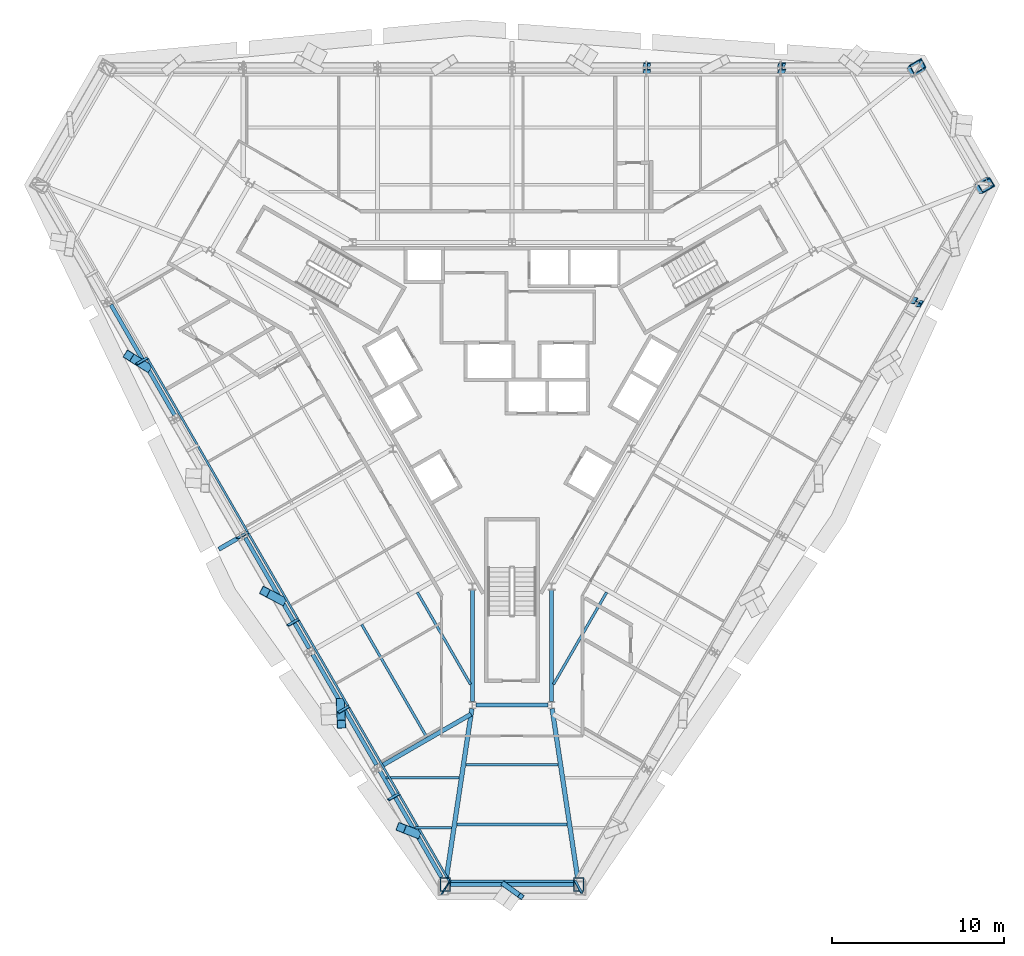
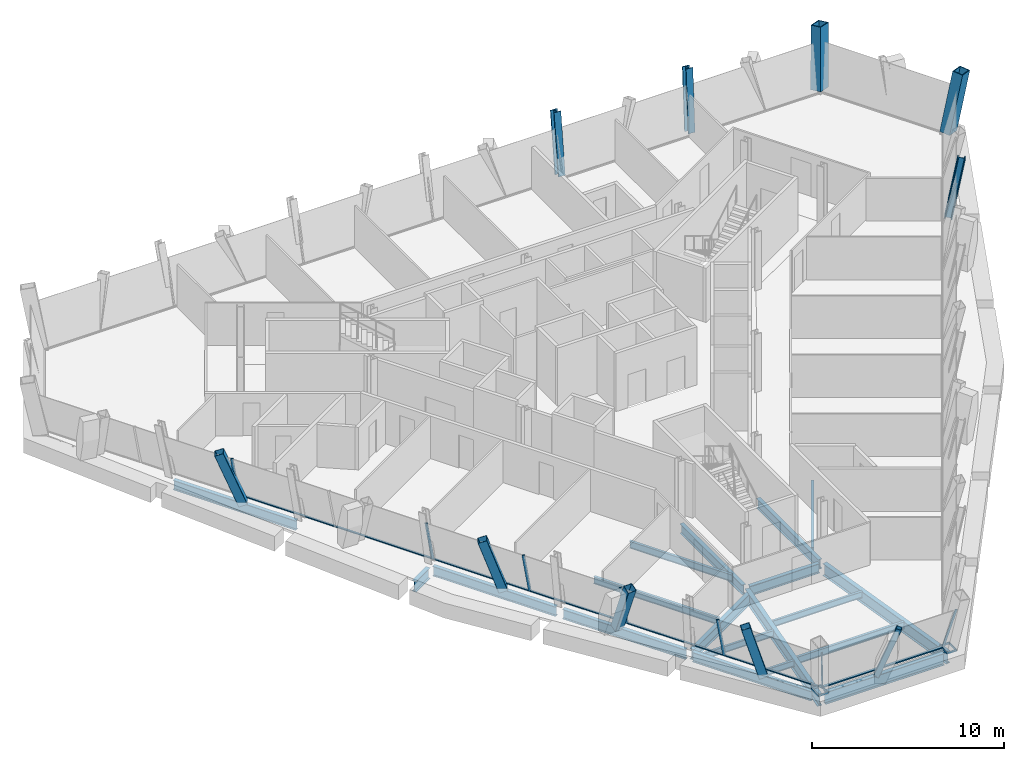
# One storey, part 2 of 12: 21 members, 19 beams, 5 columns, 3 elements without a shape of their own.
"""IFC4 building model written with IfcOpenShell, lengths in metres."""

from ifc_helpers import new_model, si_unit, direction, frame, origin, origin_2d, place, context, subcontext, project, spatial, rectangle, hollow_rectangle, i_section, extrude, material, material_profile, profile_set, type_object, element, aggregate, save


model = new_model("IFC4")

# Units and contexts
model_context = context("Model", 3, precision=1e-05, world=origin(), true_north=direction((0.0, 1.0)))
body_context = subcontext(model_context, "Body", "Model", "MODEL_VIEW")
ifc_project = project(units=[si_unit("LENGTHUNIT", "METRE"), si_unit("AREAUNIT", "SQUARE_METRE"), si_unit("VOLUMEUNIT", "CUBIC_METRE"), si_unit("PLANEANGLEUNIT", "RADIAN"), si_unit("MASSUNIT", "GRAM", prefix="KILO")], contexts=[model_context])

# Site, building, storey
site_placement = place(None, origin())
site = spatial("IfcSite", under=ifc_project, at=site_placement, CompositionType="ELEMENT")
building_placement = place(site_placement, origin())
building = spatial("IfcBuilding", under=site, at=building_placement, Name="Verrane Prism Tower", CompositionType="ELEMENT")
storey_placement = place(building_placement, frame((0.0, 0.0, 185.800048828125)))
storey = spatial("IfcBuildingStorey", under=building, at=storey_placement, Name="L46", CompositionType="ELEMENT", Elevation=185.800048828125)

# Columns
ifc_material_1 = material(Name="Steel A572 Grade 50", Category="steel")
ifc_material_profile_1 = material_profile(ifc_material_1, hollow_rectangle(XDim=0.60009765625, YDim=0.800048828125, WallThickness=0.050048828125, at=origin_2d()), Name="BOX 800x600x50")
ifc_profile_set_1 = profile_set([ifc_material_profile_1], Name="Steel A572 Grade 50")
column_type_1 = type_object("IfcColumnType", Name="Megacolumn BOX 800x600x50", PredefinedType="COLUMN", material=ifc_profile_set_1)
column_1_placement = place(storey_placement, frame((23.457275390625, 18.022216796875, 0.06494140625), z_axis=(0.10821355543, 0.184831424614, 0.976794333981), x_axis=(0.49724252303, -0.860886955952, 0.107812440663)))
element("IfcColumn", 1, at=column_1_placement, inside=storey, type_object=column_type_1, Name="Megacolumn MC-NE.b L46", PredefinedType="COLUMN", context=body_context, shape_type="SweptSolid", body=[
    extrude(hollow_rectangle(XDim=0.60009765625, YDim=0.800048828125, WallThickness=0.050048828125, at=origin_2d()), origin(), (0.0, 0.0, 1.0), 3.65478515625),
])
column_2_placement = place(storey_placement, frame((27.334228515625, 11.31005859375, 0.06494140625), z_axis=(0.213838328366, 0.0, 0.976869064574), x_axis=(0.497033455356, -0.860883256594, -0.10880148332)))
element("IfcColumn", 2, at=column_2_placement, inside=storey, type_object=column_type_1, Name="Megacolumn MC-NE.a L46", PredefinedType="COLUMN", context=body_context, shape_type="SweptSolid", body=[
    extrude(hollow_rectangle(XDim=0.60009765625, YDim=0.800048828125, WallThickness=0.050048828125, at=origin_2d()), origin(), (0.0, 0.0, 1.0), 3.654541015625),
])
ifc_material_2 = material(Name="Steel A992", Category="steel")
ifc_material_profile_2 = material_profile(ifc_material_2, i_section(OverallWidth=0.406494140625, OverallDepth=0.41650390625, WebThickness=0.030029296875, FlangeThickness=0.048095703125, FilletRadius=0.01513671875, at=origin_2d()), Name="W14x257")
ifc_profile_set_2 = profile_set([ifc_material_profile_2], Name="Steel A992")
column_type_2 = type_object("IfcColumnType", Name="Perimeter column W14x257", PredefinedType="COLUMN", material=ifc_profile_set_2)
column_3_placement = place(storey_placement, frame((15.6328125, 18.017578125, 0.0400390625), z_axis=(0.071585281061, 0.185407860919, 0.980050750035), x_axis=(0.997347551379, -0.000333182044, -0.072785649323)))
element("IfcColumn", 3, at=column_3_placement, inside=storey, type_object=column_type_2, Name="Perimeter column PC-N1 L46", PredefinedType="COLUMN", context=body_context, shape_type="SweptSolid", body=[
    extrude(i_section(OverallWidth=0.406494140625, OverallDepth=0.41650390625, WebThickness=0.030029296875, FlangeThickness=0.048095703125, FilletRadius=0.01513671875, at=origin_2d()), origin(), (0.0, 0.0, 1.0), 3.693603515625),
])
column_4_placement = place(storey_placement, frame((7.8212890625, 18.0166015625, 0.034912109375), z_axis=(0.03447421706, 0.185777725267, 0.981986845713), x_axis=(0.999383372128, 0.000143167918, -0.035112035215)))
element("IfcColumn", 4, at=column_4_placement, inside=storey, type_object=column_type_2, Name="Perimeter column PC-N2 L46", PredefinedType="COLUMN", context=body_context, shape_type="SweptSolid", body=[
    extrude(i_section(OverallWidth=0.406494140625, OverallDepth=0.41650390625, WebThickness=0.030029296875, FlangeThickness=0.048095703125, FilletRadius=0.01513671875, at=origin_2d()), origin(), (0.0, 0.0, 1.0), 3.69677734375),
])
column_5_placement = place(storey_placement, frame((23.418212890625, 4.538818359375, 0.0400390625), z_axis=(0.198532076657, -0.031778345714, 0.979579068418), x_axis=(-0.498721760227, -0.86367768571, 0.073057929632)))
element("IfcColumn", 5, at=column_5_placement, inside=storey, type_object=column_type_2, Name="Perimeter column PC-SE5 L46", PredefinedType="COLUMN", context=body_context, shape_type="SweptSolid", body=[
    extrude(i_section(OverallWidth=0.406494140625, OverallDepth=0.41650390625, WebThickness=0.030029296875, FlangeThickness=0.048095703125, FilletRadius=0.01513671875, at=origin_2d()), origin(), (0.0, 0.0, 1.0), 3.6953125),
])

# Member
ifc_material_3 = material(Name="Steel A500 Grade C", Category="steel")
ifc_material_profile_3 = material_profile(ifc_material_3, hollow_rectangle(XDim=0.3046875, YDim=0.3046875, WallThickness=0.0126953125, InnerFilletRadius=0.00634765625, OuterFilletRadius=0.01904296875, at=origin_2d()), Name="HSS12x12x1/2")
ifc_profile_set_3 = profile_set([ifc_material_profile_3], Name="Steel A500 Grade C")
member_type_1 = type_object("IfcMemberType", Name="Chamfer brace HSS12x12x1/2", PredefinedType="BRACE", material=ifc_profile_set_3)
member_1_placement = place(storey_placement, frame((-0.459716796875, -29.320068359375, -0.24267578125), z_axis=(0.293461279881, -0.210023337349, 0.932614966092), x_axis=(0.581986834751, 0.81319820719, 0.0)))
element("IfcMember", 6, at=member_1_placement, inside=storey, type_object=member_type_1, Name="Chamfer brace S0 L46", PredefinedType="BRACE", context=body_context, shape_type="SweptSolid", body=[
    extrude(hollow_rectangle(XDim=0.3046875, YDim=0.3046875, WallThickness=0.0126953125, InnerFilletRadius=0.00634765625, OuterFilletRadius=0.01904296875, at=origin_2d()), origin(), (0.0, 0.0, 1.0), 3.332763671875),
])

# Beams
ifc_material_4 = material(Name="Steel A992", Category="steel")
ifc_material_profile_4 = material_profile(ifc_material_4, i_section(OverallWidth=0.2666015625, OverallDepth=0.7568359375, WebThickness=0.013916015625, FlangeThickness=0.019287109375, FilletRadius=0.0166015625, at=origin_2d()), Name="W30x108")
ifc_profile_set_4 = profile_set([ifc_material_profile_4], Name="Steel A992")
beam_type_1 = type_object("IfcBeamType", Name="Chamfer spandrel beam W30x108", PredefinedType="SPANDREL", material=ifc_profile_set_4)
beam_1_placement = place(storey_placement, frame((-3.570068359375, -29.320068359375, -0.53857421875), z_axis=(1.0, 0.0, 0.0), x_axis=(0.0, 1.0, 0.0)))
element("IfcBeam", 7, at=beam_1_placement, inside=storey, type_object=beam_type_1, Name="Chamfer spandrel beam L46", PredefinedType="SPANDREL", context=body_context, shape_type="SweptSolid", body=[
    extrude(i_section(OverallWidth=0.2666015625, OverallDepth=0.7568359375, WebThickness=0.013916015625, FlangeThickness=0.019287109375, FilletRadius=0.0166015625, at=origin_2d()), origin(), (0.0, 0.0, 1.0), 7.14013671875),
])
ifc_material_5 = material(Name="Steel A992", Category="steel")
ifc_material_profile_5 = material_profile(ifc_material_5, i_section(OverallWidth=0.23046875, OverallDepth=0.6171875, WebThickness=0.01318359375, FlangeThickness=0.022216796875, FilletRadius=0.012939453125, at=origin_2d()), Name="W24x94")
ifc_profile_set_5 = profile_set([ifc_material_profile_5], Name="Steel A992")
beam_type_2 = type_object("IfcBeamType", Name="Core ring girder W24x94", PredefinedType="BEAM", material=ifc_profile_set_5)
beam_2_placement = place(storey_placement, frame((-2.300048828125, -12.219482421875, -0.55859375), z_axis=(0.0, -1.0, 0.0), x_axis=(1.0, 0.0, 0.0)))
element("IfcBeam", 8, at=beam_2_placement, inside=storey, type_object=beam_type_2, Name="Core ring girder L46", PredefinedType="BEAM", context=body_context, shape_type="SweptSolid", body=[
    extrude(i_section(OverallWidth=0.23046875, OverallDepth=0.6171875, WebThickness=0.01318359375, FlangeThickness=0.022216796875, FilletRadius=0.012939453125, at=origin_2d()), origin(), (0.0, 0.0, 1.0), 6.47216796875),
])
beam_3_placement = place(storey_placement, frame((-2.0966796875, -18.89990234375, -0.55859375), z_axis=(1.0, 0.0, 0.0), x_axis=(0.0, 1.0, 0.0)))
element("IfcBeam", 9, at=beam_3_placement, inside=storey, type_object=beam_type_2, Name="Core ring girder L46", PredefinedType="BEAM", context=body_context, shape_type="SweptSolid", body=[
    extrude(i_section(OverallWidth=0.23046875, OverallDepth=0.6171875, WebThickness=0.01318359375, FlangeThickness=0.022216796875, FilletRadius=0.012939453125, at=origin_2d()), origin(), (0.0, 0.0, 1.0), 4.193359375),
])
beam_4_placement = place(storey_placement, frame((2.300048828125, -18.691650390625, -0.55859375), z_axis=(0.0, 1.0, 0.0), x_axis=(-1.0, 0.0, 0.0)))
element("IfcBeam", 10, at=beam_4_placement, inside=storey, type_object=beam_type_2, Name="Core ring girder L46", PredefinedType="BEAM", context=body_context, shape_type="SweptSolid", body=[
    extrude(i_section(OverallWidth=0.23046875, OverallDepth=0.6171875, WebThickness=0.01318359375, FlangeThickness=0.022216796875, FilletRadius=0.012939453125, at=origin_2d()), origin(), (0.0, 0.0, 1.0), 6.47216796875),
])
ifc_material_6 = material(Name="Steel A992", Category="steel")
ifc_material_profile_6 = material_profile(ifc_material_6, i_section(OverallWidth=0.2666015625, OverallDepth=0.76708984375, WebThickness=0.014892578125, FlangeThickness=0.023681640625, FilletRadius=0.0166015625, at=origin_2d()), Name="W30x124")
ifc_profile_set_6 = profile_set([ifc_material_profile_6], Name="Steel A992")
beam_type_3 = type_object("IfcBeamType", Name="Corner girder W30x124", PredefinedType="BEAM", material=ifc_profile_set_6)
for number, where, z_axis, x_axis, name in (
    (11, (-3.869384765625, -29.315185546875, -0.603515625), (0.149010088195, 0.98883567574, 0.0), (-0.98883567574, 0.149010088195, 0.0), "Corner girder L46"),
    (12, (3.869384765625, -29.315185546875, -0.603515625), (-0.149010088195, 0.98883567574, 0.0), (-0.98883567574, -0.149010088195, 0.0), "Corner girder L46"),
):
    element("IfcBeam", number, at=place(storey_placement, frame(where, z_axis=z_axis, x_axis=x_axis)), inside=storey, type_object=beam_type_3, Name=name, PredefinedType="BEAM", context=body_context, shape_type="SweptSolid", body=[
        extrude(i_section(OverallWidth=0.2666015625, OverallDepth=0.76708984375, WebThickness=0.014892578125, FlangeThickness=0.023681640625, FilletRadius=0.0166015625, at=origin_2d()), origin(), (0.0, 0.0, 1.0), 10.322021484375),
    ])

# Members
ifc_material_7 = material(Name="Steel A500 Grade C", Category="steel")
ifc_material_profile_7 = material_profile(ifc_material_7, hollow_rectangle(XDim=0.508056640625, YDim=0.508056640625, WallThickness=0.01904296875, InnerFilletRadius=0.009521484375, OuterFilletRadius=0.028564453125, at=origin_2d()), Name="HSS20x20x3/4")
ifc_profile_set_7 = profile_set([ifc_material_profile_7], Name="Steel A500 Grade C")
member_type_2 = type_object("IfcMemberType", Name="Facade brace HSS20x20x3/4", PredefinedType="BRACE", material=ifc_profile_set_7)
member_2_placement = place(storey_placement, frame((-21.225341796875, 0.74755859375, -0.216796875), z_axis=(-0.31057532923, 0.195468481059, 0.930233861879), x_axis=(-0.532659198661, -0.846329828189, 0.0)))
element("IfcMember", 13, at=member_2_placement, inside=storey, type_object=member_type_2, Name="Facade brace SW1 L46", PredefinedType="BRACE", context=body_context, shape_type="SweptSolid", body=[
    extrude(hollow_rectangle(XDim=0.508056640625, YDim=0.508056640625, WallThickness=0.01904296875, InnerFilletRadius=0.009521484375, OuterFilletRadius=0.028564453125, at=origin_2d()), origin(), (0.0, 0.0, 1.0), 3.43603515625),
])
member_3_placement = place(storey_placement, frame((-13.402099609375, -12.8154296875, -0.216796875), z_axis=(-0.285812757078, 0.150785384741, 0.946348157731), x_axis=(-0.466612817887, -0.884461688364, 0.0)))
element("IfcMember", 14, at=member_3_placement, inside=storey, type_object=member_type_2, Name="Facade brace SW3 L46", PredefinedType="BRACE", context=body_context, shape_type="SweptSolid", body=[
    extrude(hollow_rectangle(XDim=0.508056640625, YDim=0.508056640625, WallThickness=0.01904296875, InnerFilletRadius=0.009521484375, OuterFilletRadius=0.028564453125, at=origin_2d()), origin(), (0.0, 0.0, 1.0), 3.37744140625),
])
member_4_placement = place(storey_placement, frame((-9.970458984375, -18.757568359375, -0.216796875), z_axis=(0.015495351947, -0.365775601467, 0.930574071979), x_axis=(0.999103894049, 0.042325038652, 0.0)))
element("IfcMember", 15, at=member_4_placement, inside=storey, type_object=member_type_2, Name="Facade brace SW4 L46", PredefinedType="BRACE", context=body_context, shape_type="SweptSolid", body=[
    extrude(hollow_rectangle(XDim=0.508056640625, YDim=0.508056640625, WallThickness=0.01904296875, InnerFilletRadius=0.009521484375, OuterFilletRadius=0.028564453125, at=origin_2d()), origin(), (0.0, 0.0, 1.0), 3.434814453125),
])
member_5_placement = place(storey_placement, frame((-5.574462890625, -26.36865234375, -0.216796875), z_axis=(-0.261841301182, 0.102112243154, 0.959693817211), x_axis=(-0.363327165251, -0.931661618288, 0.0)))
element("IfcMember", 16, at=member_5_placement, inside=storey, type_object=member_type_2, Name="Facade brace SW5 L46", PredefinedType="BRACE", context=body_context, shape_type="SweptSolid", body=[
    extrude(hollow_rectangle(XDim=0.508056640625, YDim=0.508056640625, WallThickness=0.01904296875, InnerFilletRadius=0.009521484375, OuterFilletRadius=0.028564453125, at=origin_2d()), origin(), (0.0, 0.0, 1.0), 3.33056640625),
])

# Beams
ifc_material_8 = material(Name="Steel A992", Category="steel")
ifc_material_profile_8 = material_profile(ifc_material_8, i_section(OverallWidth=0.140380859375, OverallDepth=0.40380859375, WebThickness=0.007080078125, FlangeThickness=0.01123046875, FilletRadius=0.01025390625, at=origin_2d()), Name="W16x31")
ifc_profile_set_8 = profile_set([ifc_material_profile_8], Name="Steel A992")
beam_type_4 = type_object("IfcBeamType", Name="Floor beam W16x31", PredefinedType="BEAM", material=ifc_profile_set_8)
beam_5_placement = place(storey_placement, frame((-5.64111328125, -26.023193359375, -0.362060546875), z_axis=(1.0, 0.0, 0.0), x_axis=(0.0, 1.0, 0.0)))
element("IfcBeam", 17, at=beam_5_placement, inside=storey, type_object=beam_type_4, Name="Floor beam L46", PredefinedType="BEAM", context=body_context, shape_type="SweptSolid", body=[
    extrude(i_section(OverallWidth=0.140380859375, OverallDepth=0.40380859375, WebThickness=0.007080078125, FlangeThickness=0.01123046875, FilletRadius=0.01025390625, at=origin_2d()), origin(), (0.0, 0.0, 1.0), 2.1328125),
])
beam_6_placement = place(storey_placement, frame((-7.314208984375, -23.126708984375, -0.362060546875), z_axis=(1.0, 0.0, 0.0), x_axis=(0.0, 1.0, 0.0)))
element("IfcBeam", 18, at=beam_6_placement, inside=storey, type_object=beam_type_4, Name="Floor beam L46", PredefinedType="BEAM", context=body_context, shape_type="SweptSolid", body=[
    extrude(i_section(OverallWidth=0.140380859375, OverallDepth=0.40380859375, WebThickness=0.007080078125, FlangeThickness=0.01123046875, FilletRadius=0.01025390625, at=origin_2d()), origin(), (0.0, 0.0, 1.0), 4.2421875),
])
beam_7_placement = place(storey_placement, frame((-2.6884765625, -22.373291015625, -0.362060546875), z_axis=(1.0, 0.0, 0.0), x_axis=(0.0, 1.0, 0.0)))
element("IfcBeam", 19, at=beam_7_placement, inside=storey, type_object=beam_type_4, Name="Floor beam L46", PredefinedType="BEAM", context=body_context, shape_type="SweptSolid", body=[
    extrude(i_section(OverallWidth=0.140380859375, OverallDepth=0.40380859375, WebThickness=0.007080078125, FlangeThickness=0.01123046875, FilletRadius=0.01025390625, at=origin_2d()), origin(), (0.0, 0.0, 1.0), 5.376953125),
])
ifc_material_9 = material(Name="Steel A992", Category="steel")
ifc_material_profile_9 = material_profile(ifc_material_9, i_section(OverallWidth=0.15234375, OverallDepth=0.449462890625, WebThickness=0.007568359375, FlangeThickness=0.0107421875, FilletRadius=0.01025390625, at=origin_2d()), Name="W18x35")
ifc_profile_set_9 = profile_set([ifc_material_profile_9], Name="Steel A992")
beam_type_5 = type_object("IfcBeamType", Name="Floor beam W18x35", PredefinedType="BEAM", material=ifc_profile_set_9)
beam_8_placement = place(storey_placement, frame((-2.4150390625, -17.693603515625, -0.384765625), z_axis=(-0.499998733127, 0.866026135213, 0.0), x_axis=(-0.866026135213, -0.499998733127, 0.0)))
element("IfcBeam", 20, at=beam_8_placement, inside=storey, type_object=beam_type_5, Name="Floor beam L46", PredefinedType="BEAM", context=body_context, shape_type="SweptSolid", body=[
    extrude(i_section(OverallWidth=0.15234375, OverallDepth=0.449462890625, WebThickness=0.007568359375, FlangeThickness=0.0107421875, FilletRadius=0.01025390625, at=origin_2d()), origin(), (0.0, 0.0, 1.0), 6.17041015625),
])
beam_9_placement = place(storey_placement, frame((-4.954345703125, -20.770751953125, -0.384765625), z_axis=(-0.500013012896, 0.866017890655, 0.0), x_axis=(-0.866017890655, -0.500013012896, 0.0)))
element("IfcBeam", 21, at=beam_9_placement, inside=storey, type_object=beam_type_5, Name="Floor beam L46", PredefinedType="BEAM", context=body_context, shape_type="SweptSolid", body=[
    extrude(i_section(OverallWidth=0.15234375, OverallDepth=0.449462890625, WebThickness=0.007568359375, FlangeThickness=0.0107421875, FilletRadius=0.01025390625, at=origin_2d()), origin(), (0.0, 0.0, 1.0), 7.564208984375),
])
beam_10_placement = place(storey_placement, frame((2.4150390625, -17.693603515625, -0.384765625), z_axis=(0.499998733127, 0.866026135213, 0.0), x_axis=(-0.866026135213, 0.499998733127, 0.0)))
element("IfcBeam", 22, at=beam_10_placement, inside=storey, type_object=beam_type_5, Name="Floor beam L46", PredefinedType="BEAM", context=body_context, shape_type="SweptSolid", body=[
    extrude(i_section(OverallWidth=0.15234375, OverallDepth=0.449462890625, WebThickness=0.007568359375, FlangeThickness=0.0107421875, FilletRadius=0.01025390625, at=origin_2d()), origin(), (0.0, 0.0, 1.0), 6.17041015625),
])
beam_11_placement = place(storey_placement, frame((-3.211669921875, -25.8466796875, -0.384765625), z_axis=(1.0, 0.0, 0.0), x_axis=(0.0, 1.0, 0.0)))
element("IfcBeam", 23, at=beam_11_placement, inside=storey, type_object=beam_type_5, Name="Floor beam L46", PredefinedType="BEAM", context=body_context, shape_type="SweptSolid", body=[
    extrude(i_section(OverallWidth=0.15234375, OverallDepth=0.449462890625, WebThickness=0.007568359375, FlangeThickness=0.0107421875, FilletRadius=0.01025390625, at=origin_2d()), origin(), (0.0, 0.0, 1.0), 6.42333984375),
])

# Members
ifc_material_10 = material(Name="Steel A572 Grade 50", Category="steel")
ifc_material_profile_10 = material_profile(ifc_material_10, hollow_rectangle(XDim=0.60009765625, YDim=0.800048828125, WallThickness=0.050048828125, at=origin_2d()), Name="BOX 800x600x50")
ifc_profile_set_10 = profile_set([ifc_material_profile_10], Name="Steel A572 Grade 50")
member_type_3 = type_object("IfcMemberType", Name="Kink node BOX 800x600x50", PredefinedType="COLLAR", material=ifc_profile_set_10)
for number, where, z_axis, x_axis, name in (
    (24, (-3.87353515625, -29.326171875, -0.06494140625), (0.0, 0.0, 1.0), (-1.0, 0.0, 0.0), "Kink node MC4 L46"),
    (25, (3.87353515625, -29.326171875, -0.06494140625), (0.0, 0.0, 1.0), (-1.0, 0.0, 0.0), "Kink node MC4 L46"),
):
    element("IfcMember", number, at=place(storey_placement, frame(where, z_axis=z_axis, x_axis=x_axis)), inside=storey, type_object=member_type_3, Name=name, PredefinedType="COLLAR", context=body_context, shape_type="SweptSolid", body=[
        extrude(hollow_rectangle(XDim=0.60009765625, YDim=0.800048828125, WallThickness=0.050048828125, at=origin_2d()), origin(), (0.0, 0.0, 1.0), 0.1298828125),
    ])

# Curtain wall, member
ifc_material_11 = material(Name="Aluminium framed insulated glazing", Category="aluminium")
curtain_wall_type_1 = type_object("IfcCurtainWallType", Name="Curtain wall CW-C 4200 module", PredefinedType="NOTDEFINED", material=ifc_material_11)
curtain_wall_1_placement = place(storey_placement, origin())
curtain_wall_1 = element("IfcCurtainWall", 26, at=curtain_wall_1_placement, inside=storey, type_object=curtain_wall_type_1, Name="Glazed curtain wall south-east face L46", PredefinedType="NOTDEFINED")
ifc_material_12 = material(Name="Aluminium alloy 6063-T6", Category="aluminium")
ifc_material_profile_11 = material_profile(ifc_material_12, rectangle(XDim=0.139892578125, YDim=0.050048828125, at=origin_2d()), Name="Mullion 50x140 aluminium")
ifc_profile_set_11 = profile_set([ifc_material_profile_11], Name="Aluminium alloy 6063-T6")
member_type_4 = type_object("IfcMemberType", Name="Mullion 50x140 aluminium", PredefinedType="MULLION", material=ifc_profile_set_11)
member_6_placement = place(storey_placement, frame((3.663818359375, -29.1162109375, 0.0), z_axis=(0.138156193075, -0.254693181373, 0.957102005889), x_axis=(-0.989419789868, 0.00771944841, 0.144875427637)))
member_6 = element("IfcMember", 27, at=member_6_placement, type_object=member_type_4, Name="CW44.6 mullion 1", PredefinedType="MULLION", context=body_context, shape_type="SweptSolid", body=[
    extrude(rectangle(XDim=0.139892578125, YDim=0.050048828125, at=origin_2d()), origin(), (0.0, 0.0, 1.0), 2.83447265625),
])
aggregate(curtain_wall_1, [member_6])

# Curtain wall, members
ifc_material_13 = material(Name="Aluminium framed insulated glazing", Category="aluminium")
curtain_wall_type_2 = type_object("IfcCurtainWallType", Name="Curtain wall CW-B 5600 module", PredefinedType="NOTDEFINED", material=ifc_material_13)
curtain_wall_2_placement = place(storey_placement, origin())
curtain_wall_2 = element("IfcCurtainWall", 28, at=curtain_wall_2_placement, inside=storey, type_object=curtain_wall_type_2, Name="Glazed curtain wall south-west face L46", PredefinedType="NOTDEFINED")
ifc_material_14 = material(Name="Aluminium alloy 6063-T6", Category="aluminium")
ifc_material_profile_12 = material_profile(ifc_material_14, rectangle(XDim=0.159912109375, YDim=0.06005859375, at=origin_2d()), Name="Mullion 60x160 aluminium")
ifc_profile_set_12 = profile_set([ifc_material_profile_12], Name="Aluminium alloy 6063-T6")
member_type_5 = type_object("IfcMemberType", Name="Mullion 60x160 aluminium", PredefinedType="MULLION", material=ifc_profile_set_12)
member_7_placement = place(storey_placement, frame((-21.20751953125, 1.270751953125, 0.0), z_axis=(-0.216447961734, -0.124954258103, 0.968264795004), x_axis=(0.852262166522, -0.507969894357, 0.124963138331)))
member_7 = element("IfcMember", 29, at=member_7_placement, type_object=member_type_5, Name="CW44.4 mullion 3", PredefinedType="MULLION", context=body_context, shape_type="SweptSolid", body=[
    extrude(rectangle(XDim=0.159912109375, YDim=0.06005859375, at=origin_2d()), origin(), (0.0, 0.0, 1.0), 2.8017578125),
])
member_8_placement = place(storey_placement, frame((-15.35546875, -8.865478515625, 0.0), z_axis=(-0.216364904862, -0.124956614407, 0.968283053895), x_axis=(0.852358631448, -0.507816716186, 0.124927763758)))
member_8 = element("IfcMember", 30, at=member_8_placement, type_object=member_type_5, Name="CW44.4 mullion 5", PredefinedType="MULLION", context=body_context, shape_type="SweptSolid", body=[
    extrude(rectangle(XDim=0.159912109375, YDim=0.06005859375, at=origin_2d()), origin(), (0.0, 0.0, 1.0), 2.8017578125),
])
member_9_placement = place(storey_placement, frame((-12.429443359375, -13.93359375, 0.0), z_axis=(-0.216364904862, -0.124956614407, 0.968283053895), x_axis=(0.852358631448, -0.507816716186, 0.124927763758)))
member_9 = element("IfcMember", 31, at=member_9_placement, type_object=member_type_5, Name="CW44.4 mullion 6", PredefinedType="MULLION", context=body_context, shape_type="SweptSolid", body=[
    extrude(rectangle(XDim=0.159912109375, YDim=0.06005859375, at=origin_2d()), origin(), (0.0, 0.0, 1.0), 2.8017578125),
])
member_10_placement = place(storey_placement, frame((-9.50341796875, -19.001708984375, 0.0), z_axis=(-0.216367259975, -0.124870835096, 0.968293593572), x_axis=(0.852209765519, -0.50807152263, 0.12490733944)))
member_10 = element("IfcMember", 32, at=member_10_placement, type_object=member_type_5, Name="CW44.4 mullion 7", PredefinedType="MULLION", context=body_context, shape_type="SweptSolid", body=[
    extrude(rectangle(XDim=0.159912109375, YDim=0.06005859375, at=origin_2d()), origin(), (0.0, 0.0, 1.0), 2.8017578125),
])
member_11_placement = place(storey_placement, frame((-6.577392578125, -24.06982421875, 0.0), z_axis=(-0.216367259975, -0.124870835096, 0.968293593572), x_axis=(0.852209765519, -0.50807152263, 0.12490733944)))
member_11 = element("IfcMember", 33, at=member_11_placement, type_object=member_type_5, Name="CW44.4 mullion 8", PredefinedType="MULLION", context=body_context, shape_type="SweptSolid", body=[
    extrude(rectangle(XDim=0.159912109375, YDim=0.06005859375, at=origin_2d()), origin(), (0.0, 0.0, 1.0), 2.8017578125),
])

# Curtain wall, member
ifc_material_15 = material(Name="Aluminium framed insulated glazing", Category="aluminium")
curtain_wall_type_3 = type_object("IfcCurtainWallType", Name="Curtain wall CW-A 8400 module", PredefinedType="NOTDEFINED", material=ifc_material_15)
curtain_wall_3_placement = place(storey_placement, origin())
curtain_wall_3 = element("IfcCurtainWall", 34, at=curtain_wall_3_placement, inside=storey, type_object=curtain_wall_type_3, Name="Glazed curtain wall south corner L46", PredefinedType="NOTDEFINED")
ifc_material_16 = material(Name="Aluminium alloy 6063-T6", Category="aluminium")
ifc_material_profile_13 = material_profile(ifc_material_16, rectangle(XDim=0.199951171875, YDim=0.070068359375, at=origin_2d()), Name="Mullion 70x200 aluminium")
ifc_profile_set_13 = profile_set([ifc_material_profile_13], Name="Aluminium alloy 6063-T6")
member_type_6 = type_object("IfcMemberType", Name="Mullion 70x200 aluminium", PredefinedType="MULLION", material=ifc_profile_set_13)
member_12_placement = place(storey_placement, frame((-3.6162109375, -29.1376953125, 0.0), z_axis=(-0.154865330288, -0.246975337742, 0.956566731609), x_axis=(0.508172181868, 0.810420227782, 0.291513443906)))
member_12 = element("IfcMember", 35, at=member_12_placement, type_object=member_type_6, Name="CW44.5 mullion 1", PredefinedType="MULLION", context=body_context, shape_type="SweptSolid", body=[
    extrude(rectangle(XDim=0.199951171875, YDim=0.070068359375, at=origin_2d()), origin(), (0.0, 0.0, 1.0), 2.836181640625),
])

# Beams
ifc_material_17 = material(Name="Steel A992", Category="steel")
ifc_material_profile_14 = material_profile(ifc_material_17, i_section(OverallWidth=0.25390625, OverallDepth=0.683349609375, WebThickness=0.012451171875, FlangeThickness=0.01904296875, FilletRadius=0.01513671875, at=origin_2d()), Name="W27x94")
ifc_profile_set_14 = profile_set([ifc_material_profile_14], Name="Steel A992")
beam_type_6 = type_object("IfcBeamType", Name="Radial girder W27x94", PredefinedType="BEAM", material=ifc_profile_set_14)
beam_12_placement = place(storey_placement, frame((-7.599609375, -22.44580078125, -0.561767578125), z_axis=(0.866028410322, 0.499994792488, 0.0), x_axis=(-0.499994792488, 0.866028410322, 0.0)))
element("IfcBeam", 36, at=beam_12_placement, inside=storey, type_object=beam_type_6, Name="Radial girder L46", PredefinedType="BEAM", context=body_context, shape_type="SweptSolid", body=[
    extrude(i_section(OverallWidth=0.25390625, OverallDepth=0.683349609375, WebThickness=0.012451171875, FlangeThickness=0.01904296875, FilletRadius=0.01513671875, at=origin_2d()), origin(), (0.0, 0.0, 1.0), 6.02685546875),
])
beam_13_placement = place(storey_placement, frame((-15.77685546875, -9.112060546875, -0.561767578125), z_axis=(-0.866057765686, -0.499943943352, 0.0), x_axis=(0.499943943352, -0.866057765686, 0.0)))
element("IfcBeam", 37, at=beam_13_placement, inside=storey, type_object=beam_type_6, Name="Cantilever girder L46", PredefinedType="BEAM", context=body_context, shape_type="SweptSolid", body=[
    extrude(i_section(OverallWidth=0.25390625, OverallDepth=0.683349609375, WebThickness=0.012451171875, FlangeThickness=0.01904296875, FilletRadius=0.01513671875, at=origin_2d()), origin(), (0.0, 0.0, 1.0), 1.463134765625),
])
ifc_material_18 = material(Name="Steel A992", Category="steel")
ifc_material_profile_15 = material_profile(ifc_material_18, i_section(OverallWidth=0.23046875, OverallDepth=0.6171875, WebThickness=0.01318359375, FlangeThickness=0.022216796875, FilletRadius=0.012939453125, at=origin_2d()), Name="W24x94")
ifc_profile_set_15 = profile_set([ifc_material_profile_15], Name="Steel A992")
beam_type_7 = type_object("IfcBeamType", Name="Spandrel beam W24x94", PredefinedType="SPANDREL", material=ifc_profile_set_15)
beam_14_placement = place(storey_placement, frame((-23.30859375, 4.364013671875, -0.46875), z_axis=(0.499174476851, -0.866501495475, 0.0), x_axis=(0.866501495475, 0.499174476851, 0.0)))
element("IfcBeam", 38, at=beam_14_placement, inside=storey, type_object=beam_type_7, Name="Spandrel beam L46", PredefinedType="SPANDREL", context=body_context, shape_type="SweptSolid", body=[
    extrude(i_section(OverallWidth=0.23046875, OverallDepth=0.6171875, WebThickness=0.01318359375, FlangeThickness=0.022216796875, FilletRadius=0.012939453125, at=origin_2d()), origin(), (0.0, 0.0, 1.0), 7.40673828125),
])
for number, where, z_axis, x_axis, name in (
    (39, (-15.498291015625, -9.18603515625, -0.46875), (0.50013874289, -0.86594528572, 0.0), (0.86594528572, 0.50013874289, 0.0), "Spandrel beam L46"),
    (40, (-11.58837890625, -15.9560546875, -0.46875), (0.50013874289, -0.86594528572, 0.0), (0.86594528572, 0.50013874289, 0.0), "Spandrel beam L46"),
):
    element("IfcBeam", number, at=place(storey_placement, frame(where, z_axis=z_axis, x_axis=x_axis)), inside=storey, type_object=beam_type_7, Name=name, PredefinedType="SPANDREL", context=body_context, shape_type="SweptSolid", body=[
        extrude(i_section(OverallWidth=0.23046875, OverallDepth=0.6171875, WebThickness=0.01318359375, FlangeThickness=0.022216796875, FilletRadius=0.012939453125, at=origin_2d()), origin(), (0.0, 0.0, 1.0), 7.41162109375),
    ])
beam_15_placement = place(storey_placement, frame((-7.678466796875, -22.72607421875, -0.46875), z_axis=(0.50014395567, -0.865942274985, 0.0), x_axis=(0.865942274985, 0.50014395567, 0.0)))
element("IfcBeam", 41, at=beam_15_placement, inside=storey, type_object=beam_type_7, Name="Spandrel beam L46", PredefinedType="SPANDREL", context=body_context, shape_type="SweptSolid", body=[
    extrude(i_section(OverallWidth=0.23046875, OverallDepth=0.6171875, WebThickness=0.01318359375, FlangeThickness=0.022216796875, FilletRadius=0.012939453125, at=origin_2d()), origin(), (0.0, 0.0, 1.0), 7.15283203125),
])

# Member
ifc_material_19 = material(Name="Aluminium alloy 6063-T6", Category="aluminium")
ifc_material_profile_16 = material_profile(ifc_material_19, rectangle(XDim=0.1201171875, YDim=0.06005859375, at=origin_2d()), Name="Transom 60x120 aluminium")
ifc_profile_set_16 = profile_set([ifc_material_profile_16], Name="Aluminium alloy 6063-T6")
member_type_7 = type_object("IfcMemberType", Name="Transom 60x120 aluminium", PredefinedType="USERDEFINED", material=ifc_profile_set_16)
member_13_placement = place(storey_placement, frame((-21.192626953125, 1.24462890625, 0.030029296875), z_axis=(0.499992456128, -0.866029759197, 0.0), x_axis=(0.866029759197, 0.499992456128, 0.0)))
member_13 = element("IfcMember", 42, at=member_13_placement, type_object=member_type_7, Name="CW44.4 transom 3", ObjectType="TRANSOM", PredefinedType="USERDEFINED", context=body_context, shape_type="SweptSolid", body=[
    extrude(rectangle(XDim=0.1201171875, YDim=0.06005859375, at=origin_2d()), origin(), (0.0, 0.0, 1.0), 5.7919921875),
])

member_14_placement = place(storey_placement, frame((-18.2666015625, -3.823486328125, 0.030029296875), z_axis=(0.499992456128, -0.866029759197, 0.0), x_axis=(0.866029759197, 0.499992456128, 0.0)))
member_14 = element("IfcMember", 43, at=member_14_placement, type_object=member_type_7, Name="CW44.4 transom 4", ObjectType="TRANSOM", PredefinedType="USERDEFINED", context=body_context, shape_type="SweptSolid", body=[
    extrude(rectangle(XDim=0.1201171875, YDim=0.06005859375, at=origin_2d()), origin(), (0.0, 0.0, 1.0), 5.7919921875),
])

member_15_placement = place(storey_placement, frame((-15.340576171875, -8.8916015625, 0.030029296875), z_axis=(0.500024068525, -0.866011507369, 0.0), x_axis=(0.866011507369, 0.500024068525, 0.0)))
member_15 = element("IfcMember", 44, at=member_15_placement, type_object=member_type_7, Name="CW44.4 transom 5", ObjectType="TRANSOM", PredefinedType="USERDEFINED", context=body_context, shape_type="SweptSolid", body=[
    extrude(rectangle(XDim=0.1201171875, YDim=0.06005859375, at=origin_2d()), origin(), (0.0, 0.0, 1.0), 5.792236328125),
])

member_16_placement = place(storey_placement, frame((-12.41455078125, -13.95947265625, 0.030029296875), z_axis=(0.500024068525, -0.866011507369, 0.0), x_axis=(0.866011507369, 0.500024068525, 0.0)))
member_16 = element("IfcMember", 45, at=member_16_placement, type_object=member_type_7, Name="CW44.4 transom 6", ObjectType="TRANSOM", PredefinedType="USERDEFINED", context=body_context, shape_type="SweptSolid", body=[
    extrude(rectangle(XDim=0.1201171875, YDim=0.06005859375, at=origin_2d()), origin(), (0.0, 0.0, 1.0), 5.792236328125),
])

member_17_placement = place(storey_placement, frame((-9.48828125, -19.027587890625, 0.030029296875), z_axis=(0.499992456128, -0.866029759197, 0.0), x_axis=(0.866029759197, 0.499992456128, 0.0)))
member_17 = element("IfcMember", 46, at=member_17_placement, type_object=member_type_7, Name="CW44.4 transom 7", ObjectType="TRANSOM", PredefinedType="USERDEFINED", context=body_context, shape_type="SweptSolid", body=[
    extrude(rectangle(XDim=0.1201171875, YDim=0.06005859375, at=origin_2d()), origin(), (0.0, 0.0, 1.0), 5.7919921875),
])

member_18_placement = place(storey_placement, frame((-6.562255859375, -24.095703125, 0.030029296875), z_axis=(0.499986231991, -0.866033352602, 0.0), x_axis=(0.866033352602, 0.499986231991, 0.0)))
member_18 = element("IfcMember", 47, at=member_18_placement, type_object=member_type_7, Name="CW44.4 transom 8", ObjectType="TRANSOM", PredefinedType="USERDEFINED", context=body_context, shape_type="SweptSolid", body=[
    extrude(rectangle(XDim=0.1201171875, YDim=0.06005859375, at=origin_2d()), origin(), (0.0, 0.0, 1.0), 5.822021484375),
])

aggregate(curtain_wall_2, [member_7, member_8, member_9, member_10, member_11, member_13, member_14, member_15, member_16, member_17, member_18])

ifc_material_20 = material(Name="Aluminium alloy 6063-T6", Category="aluminium")
ifc_material_profile_17 = material_profile(ifc_material_20, rectangle(XDim=0.14990234375, YDim=0.070068359375, at=origin_2d()), Name="Transom 70x150 aluminium")
ifc_profile_set_17 = profile_set([ifc_material_profile_17], Name="Aluminium alloy 6063-T6")
member_type_8 = type_object("IfcMemberType", Name="Transom 70x150 aluminium", PredefinedType="USERDEFINED", material=ifc_profile_set_17)
member_19_placement = place(storey_placement, frame((-3.581298828125, -29.1376953125, 0.034912109375), z_axis=(1.0, 0.0, 0.0), x_axis=(0.0, 1.0, 0.0)))
member_19 = element("IfcMember", 48, at=member_19_placement, type_object=member_type_8, Name="CW44.5 transom 1", ObjectType="TRANSOM", PredefinedType="USERDEFINED", context=body_context, shape_type="SweptSolid", body=[
    extrude(rectangle(XDim=0.14990234375, YDim=0.070068359375, at=origin_2d()), origin(), (0.0, 0.0, 1.0), 7.232666015625),
])

aggregate(curtain_wall_3, [member_12, member_19])

save(model, "model.ifc")
